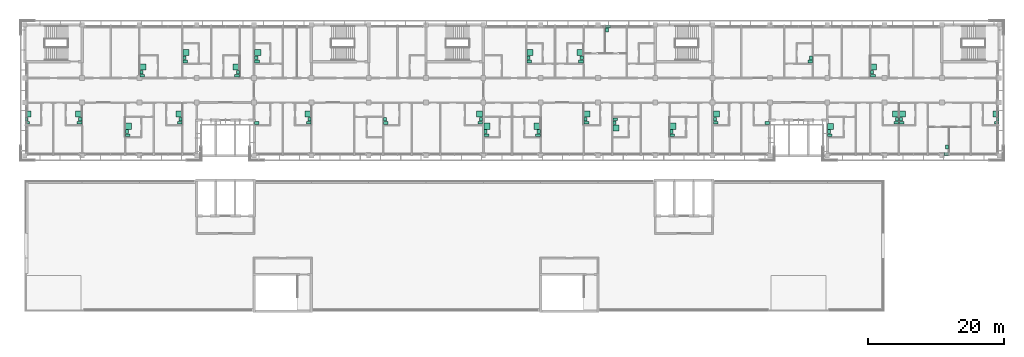
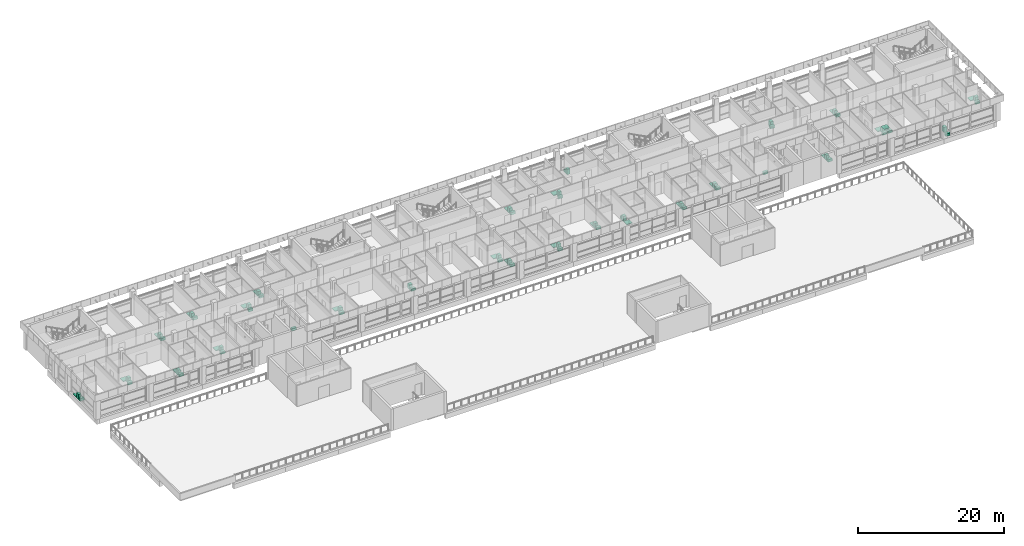
# One storey, part 46 of 46: 79 sanitary terminals.
"""IFC4 building model written with IfcOpenShell, lengths in metres."""

import ifcopenshell
import ifcopenshell.guid

model = None  # the IFC model being written
_history = None  # IfcOwnerHistory: only IFC2X3 demands one
_inside = {}  # id of a spatial element -> (the spatial element, [elements in it])
_under = {}  # id of a project, library or spatial element -> (it, [spatial elements below it])
_declared = {}  # id of a project -> (the project, [libraries it declares])
_typed = {}  # id of a type object -> (the type object, [elements of that type])
_made_of = {}  # id of a material, layer set ... -> (it, [elements and type objects made of it])


def new_model(schema):
    """Start an empty IFC model of exactly this schema.

    Asked for "IFC4X3", IfcOpenShell would pick the latest addendum, in which some entities
    have other attributes; the version numbers below select the first issue.
    IFC2X3 requires an IfcOwnerHistory on every rooted entity: one is made here for all.
    """
    global model, _history
    if schema == "IFC4X3":
        model = ifcopenshell.file(schema_version=(4, 3, 0, 0))
    else:
        model = ifcopenshell.file(schema=schema)
    _inside.clear()
    _under.clear()
    _declared.clear()
    _typed.clear()
    _made_of.clear()
    _history = None
    if model.schema == "IFC2X3":
        org = make("IfcOrganization", Name="unknown")
        user = make(
            "IfcPersonAndOrganization",
            ThePerson=make("IfcPerson", FamilyName="unknown"),
            TheOrganization=org,
        )
        app = make(
            "IfcApplication",
            ApplicationDeveloper=org,
            Version="unknown",
            ApplicationFullName="unknown",
            ApplicationIdentifier="unknown",
        )
        _history = make(
            "IfcOwnerHistory",
            OwningUser=user,
            OwningApplication=app,
            ChangeAction="ADDED",
            CreationDate=0,
        )
    return model


def make(cls, **values):
    """One entity of the class cls with the attributes given. An attribute that is None is left unset."""
    return model.create_entity(
        cls, **{name: value for name, value in values.items() if value is not None}
    )


def rooted(cls, **values):
    """An entity with a GlobalId (a new one), such as an element, a storey or a relation."""
    return make(cls, GlobalId=ifcopenshell.guid.new(), OwnerHistory=_history, **values)


def si_unit(unit_type, name, prefix=None):
    """IfcSIUnit, for example si_unit("LENGTHUNIT", "METRE", prefix="MILLI")."""
    return make("IfcSIUnit", UnitType=unit_type, Prefix=prefix, Name=name)


def assignment(units):
    """IfcUnitAssignment: the units of a project."""
    return None if units is None else make("IfcUnitAssignment", Units=units)


def point(xyz):
    """IfcCartesianPoint."""
    return None if xyz is None else make("IfcCartesianPoint", Coordinates=xyz)


def direction(xyz):
    """IfcDirection."""
    return None if xyz is None else make("IfcDirection", DirectionRatios=xyz)


def frame(location, z_axis=None, x_axis=None):
    """IfcAxis2Placement3D, a coordinate frame: its origin and axes. An axis left out is left unset."""
    return make(
        "IfcAxis2Placement3D",
        Location=point(location),
        Axis=direction(z_axis),
        RefDirection=direction(x_axis),
    )


def frame_2d(location, x_axis=None):
    """IfcAxis2Placement2D, a coordinate frame in the plane: its origin and x axis."""
    return make(
        "IfcAxis2Placement2D", Location=point(location), RefDirection=direction(x_axis)
    )


def origin():
    """The frame at (0, 0, 0) with its axes left unset."""
    return frame((0.0, 0.0, 0.0))


def origin_2d():
    """The frame at (0, 0) in the plane with its x axis left unset."""
    return frame_2d((0.0, 0.0))


def place(relative_to, where):
    """IfcLocalPlacement: puts the frame where relative to a parent placement (None: the world)."""
    return make(
        "IfcLocalPlacement", PlacementRelTo=relative_to, RelativePlacement=where
    )


def context(
    kind, dimensions, precision=None, world=None, true_north=None, identifier=None
):
    """IfcGeometricRepresentationContext, for example the 3D "Model" context."""
    return make(
        "IfcGeometricRepresentationContext",
        ContextIdentifier=identifier,
        ContextType=kind,
        CoordinateSpaceDimension=dimensions,
        Precision=precision,
        WorldCoordinateSystem=world,
        TrueNorth=true_north,
    )


def subcontext(parent, identifier, kind, view, scale=None):
    """IfcGeometricRepresentationSubContext, for example "Body" below "Model"."""
    return make(
        "IfcGeometricRepresentationSubContext",
        ContextIdentifier=identifier,
        ContextType=kind,
        ParentContext=parent,
        TargetScale=scale,
        TargetView=view,
    )


def project(units=None, contexts=None):
    """IfcProject with its units and contexts."""
    return rooted(
        "IfcProject",
        Name="project",
        RepresentationContexts=contexts,
        UnitsInContext=assignment(units),
    )


def spatial(cls, under=None, at=None, **own):
    """A site, building, storey or space (cls), placed at a placement, below another one or the project."""
    s = rooted(cls, ObjectPlacement=at, **own)
    if under is not None:
        _under.setdefault(under.id(), (under, []))[1].append(s)
    return s


def profile(cls, at=None, kind="AREA", **sizes):
    """A parametric profile (cls). Its sizes go by their IFC names, for example OverallWidth=200.0."""
    return make(cls, ProfileType=kind, Position=at, **sizes)


def rectangle(**sizes):
    """IfcRectangleProfileDef."""
    return profile("IfcRectangleProfileDef", **sizes)


def extrude(swept, where, along, depth):
    """IfcExtrudedAreaSolid: the profile swept, set in the frame where, extruded along a direction by depth."""
    return make(
        "IfcExtrudedAreaSolid",
        SweptArea=swept,
        Position=where,
        ExtrudedDirection=direction(along),
        Depth=depth,
    )


def shape(context_of_items, identifier, shape_type, items):
    """IfcShapeRepresentation: the items that make up one representation, for example the "Body"."""
    return make(
        "IfcShapeRepresentation",
        ContextOfItems=context_of_items,
        RepresentationIdentifier=identifier,
        RepresentationType=shape_type,
        Items=items,
    )


def material(Name=None, Category=None):
    """IfcMaterial."""
    return make("IfcMaterial", Name=Name, Category=Category)


def made_of(thing, what):
    """Note that an element or type object is made of a material, layer set ...; save() writes the relation."""
    if what is not None:
        _made_of.setdefault(what.id(), (what, []))[1].append(thing)
    return thing


def type_object(cls, material=None, **own):
    """A type object (cls), such as IfcWallType, which elements share."""
    return made_of(rooted(cls, **own), material)


def element(
    cls,
    number,
    at=None,
    inside=None,
    cuts=None,
    type_object=None,
    material=None,
    context=None,
    identifier="Body",
    shape_type=None,
    held_by="IfcProductDefinitionShape",
    body=None,
    shapes=None,
    **own,
):
    """One element of the class cls, such as IfcWall. Its Tag is "e" and its number.

    at: its placement. inside: the storey or other place that contains it. cuts: it is an
    opening in that element (IfcRelVoidsElement). A single representation is given by context,
    identifier, shape_type and body (its items); several are given by shapes. held_by: the class
    of the entity that holds the representations. save() writes the other relations.
    """
    e = rooted(cls, Tag="e%d" % number, ObjectPlacement=at, **own)
    if body is not None:
        shapes = [shape(context, identifier, shape_type, body)]
    if shapes is not None:
        e.Representation = make(held_by, Representations=shapes)
    if inside is not None:
        _inside.setdefault(inside.id(), (inside, []))[1].append(e)
    if cuts is not None:
        rooted(
            "IfcRelVoidsElement", RelatingBuildingElement=cuts, RelatedOpeningElement=e
        )
    if type_object is not None:
        _typed.setdefault(type_object.id(), (type_object, []))[1].append(e)
    return made_of(e, material)


def aggregate(whole, parts):
    """IfcRelAggregates: a whole, such as a stair, and the parts it consists of."""
    return rooted("IfcRelAggregates", RelatingObject=whole, RelatedObjects=parts)


def save(model, path):
    """Write the relations noted so far, then the file.

    IfcRelAggregates (storeys below a building ...), IfcRelContainedInSpatialStructure (elements
    in a storey), IfcRelDefinesByType, IfcRelAssociatesMaterial and IfcRelDeclares: one each for
    every whole, place, type object, material and project.
    """
    for whole, parts in _under.values():
        aggregate(whole, parts)
    for where, things in _inside.values():
        rooted(
            "IfcRelContainedInSpatialStructure",
            RelatedElements=things,
            RelatingStructure=where,
        )
    for kind, things in _typed.values():
        rooted("IfcRelDefinesByType", RelatedObjects=things, RelatingType=kind)
    for what, things in _made_of.values():
        rooted("IfcRelAssociatesMaterial", RelatedObjects=things, RelatingMaterial=what)
    for by, libraries in _declared.values():
        rooted("IfcRelDeclares", RelatingContext=by, RelatedDefinitions=libraries)
    model.write(path)


model = new_model("IFC4")

# Units and contexts
model_context = context("Model", 3, precision=1e-05, world=origin(), true_north=direction((0.0, 1.0)))
body_context = subcontext(model_context, "Body", "Model", "MODEL_VIEW")
ifc_project = project(units=[si_unit("LENGTHUNIT", "METRE"), si_unit("AREAUNIT", "SQUARE_METRE"), si_unit("VOLUMEUNIT", "CUBIC_METRE"), si_unit("PLANEANGLEUNIT", "RADIAN"), si_unit("MASSUNIT", "GRAM", prefix="KILO")], contexts=[model_context])

# Site, building, storey
site_placement = place(None, origin())
site = spatial("IfcSite", under=ifc_project, at=site_placement, CompositionType="ELEMENT")
building_placement = place(site_placement, origin())
building = spatial("IfcBuilding", under=site, at=building_placement, Name="Bougainvillea Quay General Hospital", CompositionType="ELEMENT")
storey_placement = place(building_placement, frame((0.0, 0.0, 28.800048828125)))
storey = spatial("IfcBuildingStorey", under=building, at=storey_placement, Name="L06", CompositionType="ELEMENT", Elevation=28.800048828125)

# Sanitary terminals
ifc_material = material(Name="Vitreous china")
sanitary_terminal_type_1 = type_object("IfcSanitaryTerminalType", Name="Shower tray 900x900", PredefinedType="SHOWER", material=ifc_material)
for number, where, z_axis, x_axis, name in (
    (1, (42.449951171875, 146.52490234375, 0.0), (0.0, 0.0, 1.0), (0.0, 1.0, 0.0), "Shower tray"),
    (2, (49.89990234375, 146.52490234375, 0.0), (0.0, 0.0, 1.0), (0.0, -1.0, 0.0), "Shower tray"),
    (3, (57.199951171875, 144.72509765625, 0.0), (0.0, 0.0, 1.0), (0.0, 1.0, 0.0), "Shower tray"),
    (4, (64.60009765625, 146.52490234375, 0.0), (0.0, 0.0, 1.0), (0.0, -1.0, 0.0), "Shower tray"),
    (5, (59.300048828125, 153.425048828125, 0.0), (0.0, 0.0, 1.0), (0.0, 1.0, 0.0), "Shower tray"),
    (6, (65.625, 155.52490234375, 0.0), (0.0, 0.0, 1.0), (0.0, 1.0, 0.0), "Shower tray"),
    (7, (73.0, 153.425048828125, 0.0), (0.0, 0.0, 1.0), (0.0, -1.0, 0.0), "Shower tray"),
    (8, (83.5, 146.52490234375, 0.0), (0.0, 0.0, 1.0), (0.0, -1.0, 0.0), "Shower tray"),
    (9, (108.64990234375, 146.52490234375, 0.0), (0.0, 0.0, 1.0), (0.0, -1.0, 0.0), "Shower tray"),
    (10, (76.14990234375, 155.52490234375, 0.0), (0.0, 0.0, 1.0), (0.0, 1.0, 0.0), "Shower tray"),
    (11, (109.75, 144.72509765625, 0.0), (0.0, 0.0, 1.0), (0.0, 1.0, 0.0), "Shower tray"),
    (12, (117.10009765625, 144.72509765625, 0.0), (0.0, 0.0, 1.0), (0.0, -1.0, 0.0), "Shower tray"),
    (13, (124.39990234375, 146.52490234375, 0.0), (0.0, 0.0, 1.0), (0.0, 1.0, 0.0), "Shower tray"),
    (14, (128.625, 144.47509765625, 0.0), (0.0, 0.0, 1.0), (0.0, 1.0, 0.0), "Shower tray"),
    (15, (137.0, 144.72509765625, 0.0), (0.0, 0.0, 1.0), (0.0, 1.0, 0.0), "Shower tray"),
    (16, (116.02490234375, 155.52490234375, 0.0), (0.0, 0.0, 1.0), (0.0, 1.0, 0.0), "Shower tray"),
    (17, (123.39990234375, 155.52490234375, 0.0), (0.0, 0.0, 1.0), (0.0, -1.0, 0.0), "Shower tray"),
    (18, (143.35009765625, 146.52490234375, 0.0), (0.0, 0.0, 1.0), (0.0, 1.0, 0.0), "Shower tray"),
    (19, (166.39990234375, 153.425048828125, 0.0), (0.0, 0.0, 1.0), (0.0, 1.0, 0.0), "Shower tray"),
    (20, (160.05712890625, 144.71728515625, 0.0), (0.0, 0.0, 1.0), (0.0, 1.0, 0.0), "Shower tray"),
    (21, (169.60009765625, 146.52490234375, 0.0), (0.0, 0.0, 1.0), (0.0, -1.0, 0.0), "Shower tray"),
    (22, (170.60009765625, 146.52490234375, 0.0), (0.0, 0.0, 1.0), (0.0, 1.0, 0.0), "Shower tray"),
    (23, (184.35009765625, 146.52490234375, 0.0), (0.0, 0.0, 1.0), (0.0, -1.0, 0.0), "Shower tray"),
):
    element("IfcSanitaryTerminal", number, at=place(storey_placement, frame(where, z_axis=z_axis, x_axis=x_axis)), inside=storey, type_object=sanitary_terminal_type_1, Name=name, PredefinedType="SHOWER", context=body_context, shape_type="SweptSolid", body=[
        extrude(rectangle(XDim=0.89990234375, YDim=0.89990234375, at=origin_2d()), origin(), (0.0, 0.0, 1.0), 0.10009765625),
    ])
sanitary_terminal_type_2 = type_object("IfcSanitaryTerminalType", Name="Wall-hung toilet pan 400x700", PredefinedType="TOILETPAN", material=ifc_material)
for number, where, z_axis, x_axis, name in (
    (24, (42.35009765625, 145.22509765625, 0.0), (0.0, 0.0, 1.0), (0.0, 1.0, 0.0), "Wall-hung toilet pan"),
    (25, (50.0, 145.22509765625, 0.0), (0.0, 0.0, 1.0), (0.0, -1.0, 0.0), "Wall-hung toilet pan"),
    (26, (57.10009765625, 143.425048828125, 0.0), (0.0, 0.0, 1.0), (0.0, 1.0, 0.0), "Wall-hung toilet pan"),
    (27, (64.699951171875, 145.22509765625, 0.0), (0.0, 0.0, 1.0), (0.0, -1.0, 0.0), "Wall-hung toilet pan"),
    (28, (59.199951171875, 152.125, 0.0), (0.0, 0.0, 1.0), (0.0, 1.0, 0.0), "Wall-hung toilet pan"),
    (29, (65.52490234375, 154.22509765625, 0.0), (0.0, 0.0, 1.0), (0.0, 1.0, 0.0), "Wall-hung toilet pan"),
    (30, (73.10009765625, 152.125, 0.0), (0.0, 0.0, 1.0), (0.0, -1.0, 0.0), "Wall-hung toilet pan"),
    (31, (75.98974609375, 145.2138671875, 0.0), (0.0, 0.0, 1.0), (0.0, 1.0, 0.0), "Wall-hung toilet pan"),
    (32, (83.60009765625, 145.22509765625, 0.0), (0.0, 0.0, 1.0), (0.0, -1.0, 0.0), "Wall-hung toilet pan"),
    (33, (94.908203125, 145.22119140625, 0.0), (0.0, 0.0, 1.0), (0.0, 1.0, 0.0), "Wall-hung toilet pan"),
    (34, (108.75, 145.22509765625, 0.0), (0.0, 0.0, 1.0), (0.0, -1.0, 0.0), "Wall-hung toilet pan"),
    (35, (76.050048828125, 154.22509765625, 0.0), (0.0, 0.0, 1.0), (0.0, 1.0, 0.0), "Wall-hung toilet pan"),
    (36, (109.64990234375, 143.425048828125, 0.0), (0.0, 0.0, 1.0), (0.0, 1.0, 0.0), "Wall-hung toilet pan"),
    (37, (117.199951171875, 143.425048828125, 0.0), (0.0, 0.0, 1.0), (0.0, -1.0, 0.0), "Wall-hung toilet pan"),
    (38, (124.300048828125, 145.22509765625, 0.0), (0.0, 0.0, 1.0), (0.0, 1.0, 0.0), "Wall-hung toilet pan"),
    (39, (128.52490234375, 145.77490234375, 0.0), (0.0, 0.0, 1.0), (0.0, 1.0, 0.0), "Wall-hung toilet pan"),
    (40, (136.89990234375, 143.425048828125, 0.0), (0.0, 0.0, 1.0), (0.0, 1.0, 0.0), "Wall-hung toilet pan"),
    (41, (115.925048828125, 154.22509765625, 0.0), (0.0, 0.0, 1.0), (0.0, 1.0, 0.0), "Wall-hung toilet pan"),
    (42, (123.5, 154.22509765625, 0.0), (0.0, 0.0, 1.0), (0.0, -1.0, 0.0), "Wall-hung toilet pan"),
    (43, (127.449951171875, 159.35009765625, 0.0), (0.0, 0.0, 1.0), (0.0, 1.0, 0.0), "Wall-hung toilet pan"),
    (44, (143.25, 145.22509765625, 0.0), (0.0, 0.0, 1.0), (0.0, 1.0, 0.0), "Wall-hung toilet pan"),
    (45, (150.810302734375, 145.2138671875, 0.0), (0.0, 0.0, 1.0), (0.0, -1.0, 0.0), "Wall-hung toilet pan"),
    (46, (157.092041015625, 154.22119140625, 0.0), (0.0, 0.0, 1.0), (0.0, -1.0, 0.0), "Wall-hung toilet pan"),
    (47, (166.300048828125, 152.125, 0.0), (0.0, 0.0, 1.0), (0.0, 1.0, 0.0), "Wall-hung toilet pan"),
    (48, (159.957275390625, 143.417236328125, 0.0), (0.0, 0.0, 1.0), (0.0, 1.0, 0.0), "Wall-hung toilet pan"),
    (49, (169.699951171875, 145.22509765625, 0.0), (0.0, 0.0, 1.0), (0.0, -1.0, 0.0), "Wall-hung toilet pan"),
    (50, (170.5, 145.22509765625, 0.0), (0.0, 0.0, 1.0), (0.0, 1.0, 0.0), "Wall-hung toilet pan"),
    (51, (177.050048828125, 140.64990234375, 0.0), (0.0, 0.0, 1.0), (0.0, -1.0, 0.0), "Wall-hung toilet pan"),
    (52, (184.449951171875, 145.22509765625, 0.0), (0.0, 0.0, 1.0), (0.0, -1.0, 0.0), "Wall-hung toilet pan"),
):
    element("IfcSanitaryTerminal", number, at=place(storey_placement, frame(where, z_axis=z_axis, x_axis=x_axis)), inside=storey, type_object=sanitary_terminal_type_2, Name=name, PredefinedType="TOILETPAN", context=body_context, shape_type="SweptSolid", body=[
        extrude(rectangle(XDim=0.39990234375, YDim=0.699951171875, at=origin_2d()), origin(), (0.0, 0.0, 1.0), 0.39990234375),
    ])
sanitary_terminal_type_3 = type_object("IfcSanitaryTerminalType", Name="Wash hand basin 550x450", PredefinedType="WASHHANDBASIN", material=ifc_material)
for number, where, z_axis, x_axis, name in (
    (53, (42.22509765625, 145.75, 0.0), (0.0, 0.0, 1.0), (0.0, 1.0, 0.0), "Wash hand basin"),
    (54, (50.125, 145.75, 0.0), (0.0, 0.0, 1.0), (0.0, -1.0, 0.0), "Wash hand basin"),
    (55, (56.97509765625, 143.949951171875, 0.0), (0.0, 0.0, 1.0), (0.0, 1.0, 0.0), "Wash hand basin"),
    (56, (64.824951171875, 145.75, 0.0), (0.0, 0.0, 1.0), (0.0, -1.0, 0.0), "Wash hand basin"),
    (57, (59.074951171875, 152.64990234375, 0.0), (0.0, 0.0, 1.0), (0.0, 1.0, 0.0), "Wash hand basin"),
    (58, (65.39990234375, 154.75, 0.0), (0.0, 0.0, 1.0), (0.0, 1.0, 0.0), "Wash hand basin"),
    (59, (73.22509765625, 152.64990234375, 0.0), (0.0, 0.0, 1.0), (0.0, -1.0, 0.0), "Wash hand basin"),
    (60, (83.72509765625, 145.75, 0.0), (0.0, 0.0, 1.0), (0.0, -1.0, 0.0), "Wash hand basin"),
    (61, (94.783203125, 145.74609375, 0.0), (0.0, 0.0, 1.0), (0.0, 1.0, 0.0), "Wash hand basin"),
    (62, (108.875, 145.75, 0.0), (0.0, 0.0, 1.0), (0.0, -1.0, 0.0), "Wash hand basin"),
    (63, (75.925048828125, 154.75, 0.0), (0.0, 0.0, 1.0), (0.0, 1.0, 0.0), "Wash hand basin"),
    (64, (109.52490234375, 143.949951171875, 0.0), (0.0, 0.0, 1.0), (0.0, 1.0, 0.0), "Wash hand basin"),
    (65, (117.324951171875, 143.949951171875, 0.0), (0.0, 0.0, 1.0), (0.0, -1.0, 0.0), "Wash hand basin"),
    (66, (124.175048828125, 145.75, 0.0), (0.0, 0.0, 1.0), (0.0, 1.0, 0.0), "Wash hand basin"),
    (67, (128.39990234375, 145.25, 0.0), (0.0, 0.0, 1.0), (0.0, 1.0, 0.0), "Wash hand basin"),
    (68, (136.77490234375, 143.949951171875, 0.0), (0.0, 0.0, 1.0), (0.0, 1.0, 0.0), "Wash hand basin"),
    (69, (115.800048828125, 154.75, 0.0), (0.0, 0.0, 1.0), (0.0, 1.0, 0.0), "Wash hand basin"),
    (70, (123.625, 154.75, 0.0), (0.0, 0.0, 1.0), (0.0, -1.0, 0.0), "Wash hand basin"),
    (71, (127.324951171875, 158.824951171875, 0.0), (0.0, 0.0, 1.0), (0.0, 1.0, 0.0), "Wash hand basin"),
    (72, (143.125, 145.75, 0.0), (0.0, 0.0, 1.0), (0.0, 1.0, 0.0), "Wash hand basin"),
    (73, (157.217041015625, 154.746337890625, 0.0), (0.0, 0.0, 1.0), (0.0, -1.0, 0.0), "Wash hand basin"),
    (74, (166.175048828125, 152.64990234375, 0.0), (0.0, 0.0, 1.0), (0.0, 1.0, 0.0), "Wash hand basin"),
    (75, (159.832275390625, 143.942138671875, 0.0), (0.0, 0.0, 1.0), (0.0, 1.0, 0.0), "Wash hand basin"),
    (76, (169.824951171875, 145.75, 0.0), (0.0, 0.0, 1.0), (0.0, -1.0, 0.0), "Wash hand basin"),
    (77, (170.375, 145.75, 0.0), (0.0, 0.0, 1.0), (0.0, 1.0, 0.0), "Wash hand basin"),
    (78, (177.175048828125, 141.675048828125, 0.0), (0.0, 0.0, 1.0), (0.0, -1.0, 0.0), "Wash hand basin"),
    (79, (184.574951171875, 145.75, 0.0), (0.0, 0.0, 1.0), (0.0, -1.0, 0.0), "Wash hand basin"),
):
    element("IfcSanitaryTerminal", number, at=place(storey_placement, frame(where, z_axis=z_axis, x_axis=x_axis)), inside=storey, type_object=sanitary_terminal_type_3, Name=name, PredefinedType="WASHHANDBASIN", context=body_context, shape_type="SweptSolid", body=[
        extrude(rectangle(XDim=0.550048828125, YDim=0.449951171875, at=origin_2d()), origin(), (0.0, 0.0, 1.0), 0.85009765625),
    ])

save(model, "model.ifc")
